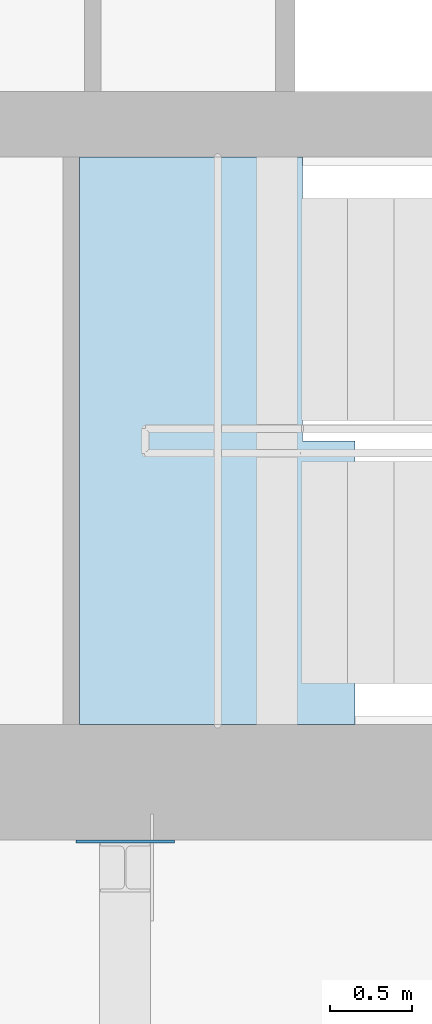
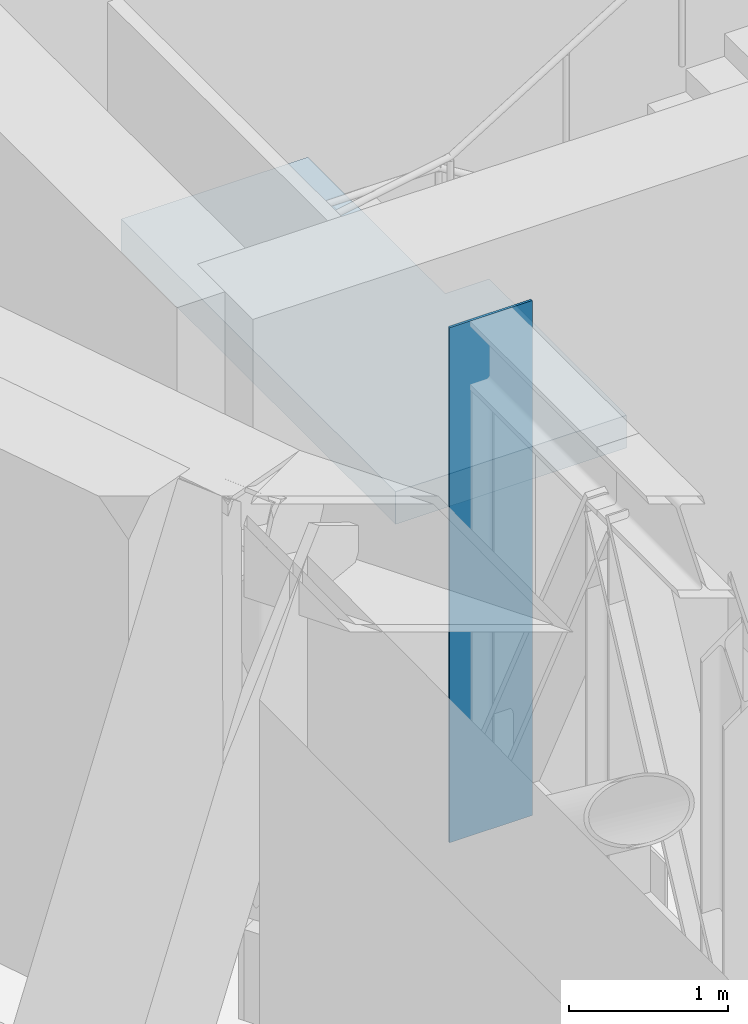
# One storey, part 7 of 20: 1 plate, 1 slab, 1 element without a shape of its own.
"""IFC4 building model written with IfcOpenShell, lengths in metres."""

from ifc_helpers import new_model, si_unit, direction, frame, origin, place, context, subcontext, project, spatial, polyline, outline, extrude, material, layer, layer_set, type_object, element, aggregate, save


model = new_model("IFC4")

# Units and contexts
model_context = context("Model", 3, precision=1e-05, world=origin(), true_north=direction((0.0, 1.0)))
body_context = subcontext(model_context, "Body", "Model", "MODEL_VIEW")
ifc_project = project(units=[si_unit("LENGTHUNIT", "METRE"), si_unit("AREAUNIT", "SQUARE_METRE"), si_unit("VOLUMEUNIT", "CUBIC_METRE"), si_unit("PLANEANGLEUNIT", "RADIAN"), si_unit("MASSUNIT", "GRAM", prefix="KILO")], contexts=[model_context])

# Site, building, storey
site_placement = place(None, origin())
site = spatial("IfcSite", under=ifc_project, at=site_placement, CompositionType="ELEMENT")
building_placement = place(site_placement, origin())
building = spatial("IfcBuilding", under=site, at=building_placement, Name="Saqina Gate Tower", CompositionType="ELEMENT")
storey_placement = place(building_placement, frame((0.0, 0.0, 151.300048828125)))
storey = spatial("IfcBuildingStorey", under=building, at=storey_placement, Name="L43", CompositionType="ELEMENT", Elevation=151.300048828125)

# Stair, slab
ifc_material_1 = material(Name="Concrete C40/50", Category="concrete")
stair_type = type_object("IfcStairType", Name="EXIT STAIR", PredefinedType="HALF_TURN_STAIR", material=ifc_material_1)
stair_placement = place(storey_placement, origin())
stair = element("IfcStair", 1, at=stair_placement, inside=storey, type_object=stair_type, Name="EXIT STAIR 4", PredefinedType="HALF_TURN_STAIR")
ifc_material_2 = material(Name="Concrete C40/50", Category="concrete")
ifc_layer_1 = layer(ifc_material_2, 0.25)
ifc_layer_set_1 = layer_set([ifc_layer_1], Name="Concrete C40/50")
slab_type = type_object("IfcSlabType", Name="EXIT STAIR LANDING", PredefinedType="LANDING", material=ifc_layer_set_1)
slab_placement = place(storey_placement, frame((0.0, 0.0, 2.0)))
slab = element("IfcSlab", 2, at=slab_placement, type_object=slab_type, Name="EXIT STAIR 4 LANDING 1", PredefinedType="LANDING", context=body_context, shape_type="SweptSolid", body=[
    extrude(outline(polyline([(-18.384765625, -6.925048828125), (-18.384765625, -8.64990234375), (-18.705078125, -8.64990234375), (-18.7099609375, -8.64990234375), (-20.06005859375, -8.64990234375), (-20.06005859375, -5.199951171875), (-18.705078125, -5.199951171875), (-18.705078125, -6.925048828125), (-18.384765625, -6.925048828125)])), origin(), (0.0, 0.0, 1.0), 0.25),
])
aggregate(stair, [slab])

# Plate
ifc_material_3 = material(Name="Steel S460", Category="steel")
ifc_layer_2 = layer(ifc_material_3, 0.01806640625)
ifc_layer_set_2 = layer_set([ifc_layer_2], Name="Steel S460")
plate_type = type_object("IfcPlateType", Name="STR-EMBED PLATE", PredefinedType="USERDEFINED", material=ifc_layer_set_2)
plate_placement = place(storey_placement, origin())
element("IfcPlate", 3, at=plate_placement, inside=storey, type_object=plate_type, Name="EMBED PLATE L43 04", ObjectType="EMBED PLATE", PredefinedType="USERDEFINED", context=body_context, shape_type="SweptSolid", body=[
    extrude(outline(polyline([(-20.08251953125, -9.367919921875), (-19.482421875, -9.367919921875), (-19.482421875, -9.35009765625), (-20.08251953125, -9.35009765625), (-20.08251953125, -9.367919921875)])), origin(), (0.0, 0.0, 1.0), 3.949951171875),
])

save(model, "model.ifc")
